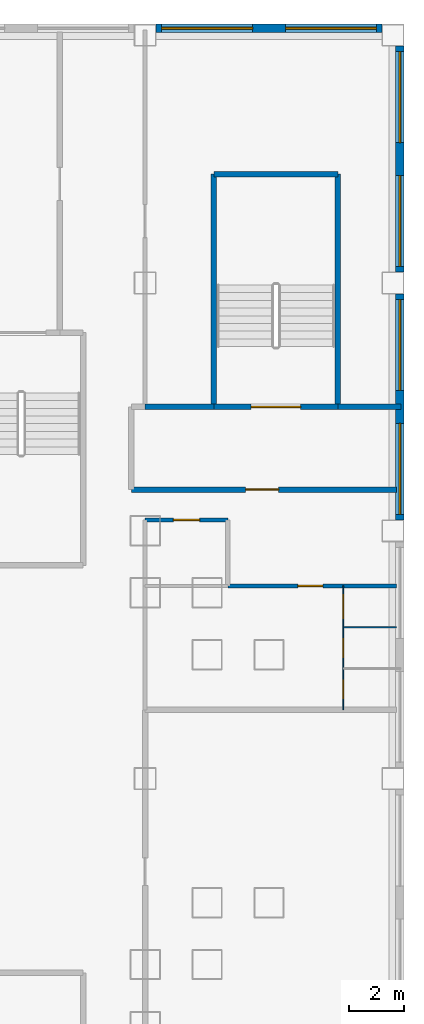
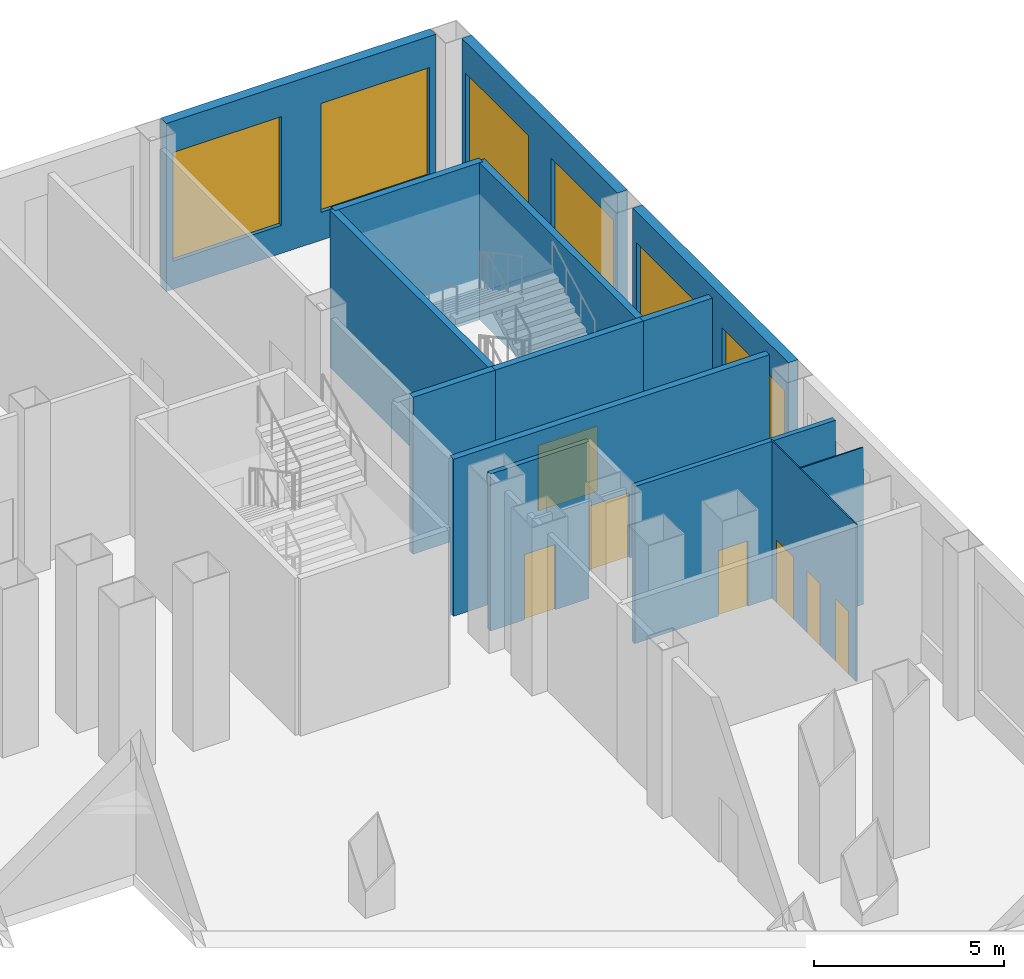
# One storey, part 8 of 26: 14 walls, 7 doors, 6 windows, 13 openings.
"""IFC4 building model written with IfcOpenShell, lengths in metres."""

from ifc_helpers import new_model, si_unit, direction, frame, frame_2d, origin, place, context, subcontext, project, spatial, rectangle, extrude, material, layer, layer_set, type_object, element, fill, save


model = new_model("IFC4")

# Units and contexts
model_context = context("Model", 3, precision=1e-05, world=origin(), true_north=direction((0.0, 1.0)))
body_context = subcontext(model_context, "Body", "Model", "MODEL_VIEW")
ifc_project = project(units=[si_unit("LENGTHUNIT", "METRE"), si_unit("AREAUNIT", "SQUARE_METRE"), si_unit("VOLUMEUNIT", "CUBIC_METRE"), si_unit("PLANEANGLEUNIT", "RADIAN"), si_unit("MASSUNIT", "GRAM", prefix="KILO")], contexts=[model_context])

# Site, building, storey
site_placement = place(None, origin())
site = spatial("IfcSite", under=ifc_project, at=site_placement, CompositionType="ELEMENT")
building_placement = place(site_placement, origin())
building = spatial("IfcBuilding", under=site, at=building_placement, Name="Caravel Reach Hotel and Residences", CompositionType="ELEMENT")
storey_placement = place(building_placement, frame((0.0, 0.0, 12.0)))
storey = spatial("IfcBuildingStorey", under=building, at=storey_placement, Name="L02", CompositionType="ELEMENT", Elevation=12.0)

# Wall, opening, door
ifc_material_1 = material(Name="Autoclaved aerated block wall")
ifc_layer_1 = layer(ifc_material_1, 0.199951171875)
ifc_layer_set_1 = layer_set([ifc_layer_1], Name="Compartment wall 200 mm EI 120")
wall_type_1 = type_object("IfcWallType", Name="Compartment wall 200 mm EI 120", PredefinedType="PARTITIONING", material=ifc_layer_set_1)
wall_1_placement = place(storey_placement, frame((58.0, 37.5, 0.0), z_axis=(0.0, 0.0, 1.0), x_axis=(1.0, 0.0, 0.0)))
wall_1 = element("IfcWall", 1, at=wall_1_placement, inside=storey, type_object=wall_type_1, Name="L02 wall w046", PredefinedType="PARTITIONING", context=body_context, shape_type="SweptSolid", body=[
    extrude(rectangle(XDim=9.6201171875, YDim=0.199951171875, at=frame_2d((4.81005859375, 0.0))), origin(), (0.0, 0.0, 1.0), 5.050048828125),
])
opening_1_placement = place(wall_1_placement, frame((4.14990234375, 0.0, 0.0)))
opening_1 = element("IfcOpeningElement", 2, at=opening_1_placement, cuts=wall_1, Name="Opening D02-024", PredefinedType="OPENING", context=body_context, shape_type="SweptSolid", body=[
    extrude(rectangle(XDim=1.199951171875, YDim=2.10009765625, at=frame_2d((0.60009765625, 1.050048828125))), frame((0.0, 0.10986328125, 0.0), z_axis=(0.0, -1.0, 0.0), x_axis=(1.0, 0.0, 0.0)), (0.0, 0.0, 1.0), 0.219970703125),
])
ifc_material_2 = material(Name="Steel fire door leaf", Category="steel")
door_type_1 = type_object("IfcDoorType", Name="Fire lobby door 1200 x 2100 EI 90", OperationType="SINGLE_SWING_LEFT", PredefinedType="DOOR", material=ifc_material_2)
door_1_placement = place(opening_1_placement, origin())
door_1 = element("IfcDoor", 3, at=door_1_placement, inside=storey, type_object=door_type_1, Name="door D02-024", OperationType="SINGLE_SWING_LEFT", OverallHeight=2.10009765625, OverallWidth=1.199951171875, PredefinedType="DOOR", context=body_context, shape_type="SweptSolid", body=[
    extrude(rectangle(XDim=1.199951171875, YDim=2.10009765625, at=frame_2d((0.60009765625, 1.050048828125))), frame((0.0, 0.02490234375, 0.0), z_axis=(0.0, -1.0, 0.0), x_axis=(1.0, 0.0, 0.0)), (0.0, 0.0, 1.0), 0.050048828125),
])
fill(opening_1, door_1)

# Walls
wall_2_placement = place(storey_placement, frame((58.5, 40.5, 0.0), z_axis=(0.0, 0.0, 1.0), x_axis=(1.0, 0.0, 0.0)))
element("IfcWall", 4, at=wall_2_placement, inside=storey, type_object=wall_type_1, Name="L02 wall w053", PredefinedType="PARTITIONING", context=body_context, shape_type="SweptSolid", body=[
    extrude(rectangle(XDim=2.5, YDim=0.199951171875, at=frame_2d((1.25, 0.0))), origin(), (0.0, 0.0, 1.0), 5.050048828125),
])
wall_3_placement = place(storey_placement, frame((65.5, 40.5, 0.0), z_axis=(0.0, 0.0, 1.0), x_axis=(1.0, 0.0, 0.0)))
element("IfcWall", 5, at=wall_3_placement, inside=storey, type_object=wall_type_1, Name="L02 wall w054", PredefinedType="PARTITIONING", context=body_context, shape_type="SweptSolid", body=[
    extrude(rectangle(XDim=2.2900390625, YDim=0.199951171875, at=frame_2d((1.14501953125, 0.0))), origin(), (0.0, 0.0, 1.0), 5.050048828125),
])

# Wall, opening, door
ifc_material_3 = material(Name="Gypsum board on steel stud, fire-rated", Category="steel")
ifc_layer_2 = layer(ifc_material_3, 0.14990234375)
ifc_layer_set_2 = layer_set([ifc_layer_2], Name="Corridor wall 150 mm EI 60")
wall_type_2 = type_object("IfcWallType", Name="Corridor wall 150 mm EI 60", PredefinedType="PARTITIONING", material=ifc_layer_set_2)
wall_4_placement = place(storey_placement, frame((61.5, 34.0, 0.0), z_axis=(0.0, 0.0, 1.0), x_axis=(1.0, 0.0, 0.0)))
wall_4 = element("IfcWall", 6, at=wall_4_placement, inside=storey, type_object=wall_type_2, Name="L02 wall w002", PredefinedType="PARTITIONING", context=body_context, shape_type="SweptSolid", body=[
    extrude(rectangle(XDim=6.1201171875, YDim=0.14990234375, at=frame_2d((3.06005859375, 0.0))), origin(), (0.0, 0.0, 1.0), 5.050048828125),
])
opening_2_placement = place(wall_4_placement, frame((2.550048828125, 0.0, 0.0)))
opening_2 = element("IfcOpeningElement", 7, at=opening_2_placement, cuts=wall_4, Name="Opening D02-035", PredefinedType="OPENING", context=body_context, shape_type="SweptSolid", body=[
    extrude(rectangle(XDim=0.89990234375, YDim=2.10009765625, at=frame_2d((0.449951171875, 1.050048828125))), frame((0.0, 0.0849609375, 0.0), z_axis=(0.0, -1.0, 0.0), x_axis=(1.0, 0.0, 0.0)), (0.0, 0.0, 1.0), 0.169921875),
])
ifc_material_4 = material(Name="Timber and steel door leaf", Category="steel")
door_type_2 = type_object("IfcDoorType", Name="Door 900 x 2100 timber", OperationType="SINGLE_SWING_LEFT", PredefinedType="DOOR", material=ifc_material_4)
door_2_placement = place(opening_2_placement, origin())
door_2 = element("IfcDoor", 8, at=door_2_placement, inside=storey, type_object=door_type_2, Name="door D02-035", OperationType="SINGLE_SWING_RIGHT", OverallHeight=2.10009765625, OverallWidth=0.89990234375, PredefinedType="DOOR", context=body_context, shape_type="SweptSolid", body=[
    extrude(rectangle(XDim=0.89990234375, YDim=2.10009765625, at=frame_2d((0.449951171875, 1.050048828125))), frame((0.0, 0.02490234375, 0.0), z_axis=(0.0, -1.0, 0.0), x_axis=(1.0, 0.0, 0.0)), (0.0, 0.0, 1.0), 0.050048828125),
])
fill(opening_2, door_2)

wall_5_placement = place(storey_placement, frame((58.5, 36.39990234375, 0.0), z_axis=(0.0, 0.0, 1.0), x_axis=(1.0, 0.0, 0.0)))
wall_5 = element("IfcWall", 9, at=wall_5_placement, inside=storey, type_object=wall_type_2, Name="L02 wall w005", PredefinedType="PARTITIONING", context=body_context, shape_type="SweptSolid", body=[
    extrude(rectangle(XDim=3.0, YDim=0.14990234375, at=frame_2d((1.5, 0.0))), origin(), (0.0, 0.0, 1.0), 5.050048828125),
])
opening_3_placement = place(wall_5_placement, frame((1.02490234375, 0.0, 0.0)))
opening_3 = element("IfcOpeningElement", 10, at=opening_3_placement, cuts=wall_5, Name="Opening D02-036", PredefinedType="OPENING", context=body_context, shape_type="SweptSolid", body=[
    extrude(rectangle(XDim=0.949951171875, YDim=2.10009765625, at=frame_2d((0.47509765625, 1.050048828125))), frame((0.0, 0.0849609375, 0.0), z_axis=(0.0, -1.0, 0.0), x_axis=(1.0, 0.0, 0.0)), (0.0, 0.0, 1.0), 0.169921875),
])
ifc_material_5 = material(Name="Timber and steel door leaf", Category="steel")
door_type_3 = type_object("IfcDoorType", Name="Accessible WC door 950 x 2100", OperationType="SINGLE_SWING_LEFT", PredefinedType="DOOR", material=ifc_material_5)
door_3_placement = place(opening_3_placement, origin())
door_3 = element("IfcDoor", 11, at=door_3_placement, inside=storey, type_object=door_type_3, Name="door D02-036", OperationType="SINGLE_SWING_LEFT", OverallHeight=2.10009765625, OverallWidth=0.949951171875, PredefinedType="DOOR", context=body_context, shape_type="SweptSolid", body=[
    extrude(rectangle(XDim=0.949951171875, YDim=2.10009765625, at=frame_2d((0.47509765625, 1.050048828125))), frame((0.0, 0.02490234375, 0.0), z_axis=(0.0, -1.0, 0.0), x_axis=(1.0, 0.0, 0.0)), (0.0, 0.0, 1.0), 0.050048828125),
])
fill(opening_3, door_3)

# Wall, openings, windows
ifc_material_6 = material(Name="Insulated wall, stone cladding", Category="masonry")
ifc_layer_3 = layer(ifc_material_6, 0.300048828125)
ifc_layer_set_3 = layer_set([ifc_layer_3], Name="EW2 Podium stone-clad wall")
wall_type_3 = type_object("IfcWallType", Name="EW2 Podium stone-clad wall", PredefinedType="SOLIDWALL", material=ifc_layer_set_3)
wall_6_placement = place(storey_placement, frame((67.75, 36.39990234375, 0.0), z_axis=(0.0, 0.0, 1.0), x_axis=(0.0, 1.0, 0.0)))
wall_6 = element("IfcWall", 12, at=wall_6_placement, inside=storey, type_object=wall_type_3, Name="External wall L02 E1.5", PredefinedType="SOLIDWALL", context=body_context, shape_type="SweptSolid", body=[
    extrude(rectangle(XDim=8.2001953125, YDim=0.300048828125, at=frame_2d((4.10009765625, 0.0))), origin(), (0.0, 0.0, 1.0), 5.39990234375),
])
opening_4_placement = place(wall_6_placement, frame((0.199951171875, 0.0, 0.89990234375)))
opening_4 = element("IfcOpeningElement", 13, at=opening_4_placement, cuts=wall_6, Name="Opening WN30", PredefinedType="OPENING", context=body_context, shape_type="SweptSolid", body=[
    extrude(rectangle(XDim=3.300048828125, YDim=3.5, at=frame_2d((1.64990234375, 1.75))), frame((0.0, 0.159912109375, 0.0), z_axis=(0.0, -1.0, 0.0), x_axis=(1.0, 0.0, 0.0)), (0.0, 0.0, 1.0), 0.320068359375),
])
opening_5_placement = place(wall_6_placement, frame((4.699951171875, 0.0, 0.89990234375)))
opening_5 = element("IfcOpeningElement", 14, at=opening_5_placement, cuts=wall_6, Name="Opening WN30", PredefinedType="OPENING", context=body_context, shape_type="SweptSolid", body=[
    extrude(rectangle(XDim=3.300048828125, YDim=3.5, at=frame_2d((1.64990234375, 1.75))), frame((0.0, 0.159912109375, 0.0), z_axis=(0.0, -1.0, 0.0), x_axis=(1.0, 0.0, 0.0)), (0.0, 0.0, 1.0), 0.320068359375),
])
ifc_material_7 = material(Name="Dark low-e glazing in black aluminium frame", Category="aluminium")
window_type = type_object("IfcWindowType", Name="Podium window 3300 x 3500", PartitioningType="SINGLE_PANEL", PredefinedType="WINDOW", material=ifc_material_7)
window_1_placement = place(opening_4_placement, origin())
window_1 = element("IfcWindow", 15, at=window_1_placement, inside=storey, type_object=window_type, Name="Window L02 E1.5.1", OverallHeight=3.5, OverallWidth=3.300048828125, PartitioningType="SINGLE_PANEL", PredefinedType="WINDOW", context=body_context, shape_type="SweptSolid", body=[
    extrude(rectangle(XDim=3.300048828125, YDim=3.5, at=frame_2d((1.64990234375, 1.75))), frame((0.0, 0.030029296875, 0.0), z_axis=(0.0, -1.0, 0.0), x_axis=(1.0, 0.0, 0.0)), (0.0, 0.0, 1.0), 0.06005859375),
])
fill(opening_4, window_1)
window_2_placement = place(opening_5_placement, origin())
window_2 = element("IfcWindow", 16, at=window_2_placement, inside=storey, type_object=window_type, Name="Window L02 E1.5.2", OverallHeight=3.5, OverallWidth=3.300048828125, PartitioningType="SINGLE_PANEL", PredefinedType="WINDOW", context=body_context, shape_type="SweptSolid", body=[
    extrude(rectangle(XDim=3.300048828125, YDim=3.5, at=frame_2d((1.64990234375, 1.75))), frame((0.0, 0.030029296875, 0.0), z_axis=(0.0, -1.0, 0.0), x_axis=(1.0, 0.0, 0.0)), (0.0, 0.0, 1.0), 0.06005859375),
])
fill(opening_5, window_2)

wall_7_placement = place(storey_placement, frame((67.75, 45.39990234375, 0.0), z_axis=(0.0, 0.0, 1.0), x_axis=(0.0, 1.0, 0.0)))
wall_7 = element("IfcWall", 17, at=wall_7_placement, inside=storey, type_object=wall_type_3, Name="External wall L02 E1.6", PredefinedType="SOLIDWALL", context=body_context, shape_type="SweptSolid", body=[
    extrude(rectangle(XDim=8.2001953125, YDim=0.300048828125, at=frame_2d((4.10009765625, 0.0))), origin(), (0.0, 0.0, 1.0), 5.39990234375),
])
opening_6_placement = place(wall_7_placement, frame((0.199951171875, 0.0, 0.89990234375)))
opening_6 = element("IfcOpeningElement", 18, at=opening_6_placement, cuts=wall_7, Name="Opening WN30", PredefinedType="OPENING", context=body_context, shape_type="SweptSolid", body=[
    extrude(rectangle(XDim=3.300048828125, YDim=3.5, at=frame_2d((1.64990234375, 1.75))), frame((0.0, 0.159912109375, 0.0), z_axis=(0.0, -1.0, 0.0), x_axis=(1.0, 0.0, 0.0)), (0.0, 0.0, 1.0), 0.320068359375),
])
opening_7_placement = place(wall_7_placement, frame((4.699951171875, 0.0, 0.89990234375)))
opening_7 = element("IfcOpeningElement", 19, at=opening_7_placement, cuts=wall_7, Name="Opening WN30", PredefinedType="OPENING", context=body_context, shape_type="SweptSolid", body=[
    extrude(rectangle(XDim=3.300048828125, YDim=3.5, at=frame_2d((1.64990234375, 1.75))), frame((0.0, 0.159912109375, 0.0), z_axis=(0.0, -1.0, 0.0), x_axis=(1.0, 0.0, 0.0)), (0.0, 0.0, 1.0), 0.320068359375),
])
window_3_placement = place(opening_6_placement, origin())
window_3 = element("IfcWindow", 20, at=window_3_placement, inside=storey, type_object=window_type, Name="Window L02 E1.6.1", OverallHeight=3.5, OverallWidth=3.300048828125, PartitioningType="SINGLE_PANEL", PredefinedType="WINDOW", context=body_context, shape_type="SweptSolid", body=[
    extrude(rectangle(XDim=3.300048828125, YDim=3.5, at=frame_2d((1.64990234375, 1.75))), frame((0.0, 0.030029296875, 0.0), z_axis=(0.0, -1.0, 0.0), x_axis=(1.0, 0.0, 0.0)), (0.0, 0.0, 1.0), 0.06005859375),
])
fill(opening_6, window_3)
window_4_placement = place(opening_7_placement, origin())
window_4 = element("IfcWindow", 21, at=window_4_placement, inside=storey, type_object=window_type, Name="Window L02 E1.6.2", OverallHeight=3.5, OverallWidth=3.300048828125, PartitioningType="SINGLE_PANEL", PredefinedType="WINDOW", context=body_context, shape_type="SweptSolid", body=[
    extrude(rectangle(XDim=3.300048828125, YDim=3.5, at=frame_2d((1.64990234375, 1.75))), frame((0.0, 0.030029296875, 0.0), z_axis=(0.0, -1.0, 0.0), x_axis=(1.0, 0.0, 0.0)), (0.0, 0.0, 1.0), 0.06005859375),
])
fill(opening_7, window_4)

wall_8_placement = place(storey_placement, frame((67.10009765625, 54.25, 0.0), z_axis=(0.0, 0.0, 1.0), x_axis=(-1.0, 0.0, 0.0)))
wall_8 = element("IfcWall", 22, at=wall_8_placement, inside=storey, type_object=wall_type_3, Name="External wall L02 N2.1", PredefinedType="SOLIDWALL", context=body_context, shape_type="SweptSolid", body=[
    extrude(rectangle(XDim=8.2001953125, YDim=0.300048828125, at=frame_2d((4.10009765625, 0.0))), origin(), (0.0, 0.0, 1.0), 5.39990234375),
])
opening_8_placement = place(wall_8_placement, frame((0.199951171875, 0.0, 0.89990234375)))
opening_8 = element("IfcOpeningElement", 23, at=opening_8_placement, cuts=wall_8, Name="Opening WN30", PredefinedType="OPENING", context=body_context, shape_type="SweptSolid", body=[
    extrude(rectangle(XDim=3.300048828125, YDim=3.5, at=frame_2d((1.64990234375, 1.75))), frame((0.0, 0.159912109375, 0.0), z_axis=(0.0, -1.0, 0.0), x_axis=(1.0, 0.0, 0.0)), (0.0, 0.0, 1.0), 0.320068359375),
])
opening_9_placement = place(wall_8_placement, frame((4.699951171875, 0.0, 0.89990234375)))
opening_9 = element("IfcOpeningElement", 24, at=opening_9_placement, cuts=wall_8, Name="Opening WN30", PredefinedType="OPENING", context=body_context, shape_type="SweptSolid", body=[
    extrude(rectangle(XDim=3.300048828125, YDim=3.5, at=frame_2d((1.64990234375, 1.75))), frame((0.0, 0.159912109375, 0.0), z_axis=(0.0, -1.0, 0.0), x_axis=(1.0, 0.0, 0.0)), (0.0, 0.0, 1.0), 0.320068359375),
])
window_5_placement = place(opening_8_placement, origin())
window_5 = element("IfcWindow", 25, at=window_5_placement, inside=storey, type_object=window_type, Name="Window L02 N2.1.1", OverallHeight=3.5, OverallWidth=3.300048828125, PartitioningType="SINGLE_PANEL", PredefinedType="WINDOW", context=body_context, shape_type="SweptSolid", body=[
    extrude(rectangle(XDim=3.300048828125, YDim=3.5, at=frame_2d((1.64990234375, 1.75))), frame((0.0, 0.030029296875, 0.0), z_axis=(0.0, -1.0, 0.0), x_axis=(1.0, 0.0, 0.0)), (0.0, 0.0, 1.0), 0.06005859375),
])
fill(opening_8, window_5)
window_6_placement = place(opening_9_placement, origin())
window_6 = element("IfcWindow", 26, at=window_6_placement, inside=storey, type_object=window_type, Name="Window L02 N2.1.2", OverallHeight=3.5, OverallWidth=3.300048828125, PartitioningType="SINGLE_PANEL", PredefinedType="WINDOW", context=body_context, shape_type="SweptSolid", body=[
    extrude(rectangle(XDim=3.300048828125, YDim=3.5, at=frame_2d((1.64990234375, 1.75))), frame((0.0, 0.030029296875, 0.0), z_axis=(0.0, -1.0, 0.0), x_axis=(1.0, 0.0, 0.0)), (0.0, 0.0, 1.0), 0.06005859375),
])
fill(opening_9, window_6)

# Wall, opening, door
ifc_material_8 = material(Name="Concrete C60", Category="concrete")
ifc_layer_4 = layer(ifc_material_8, 0.199951171875)
ifc_layer_set_4 = layer_set([ifc_layer_4], Name="Stair enclosure wall 200 mm EI 120")
wall_type_4 = type_object("IfcWallType", Name="Stair enclosure wall 200 mm EI 120", PredefinedType="SHEAR", material=ifc_layer_set_4)
wall_9_placement = place(storey_placement, frame((61.0, 40.5, 0.0), z_axis=(0.0, 0.0, 1.0), x_axis=(1.0, 0.0, 0.0)))
wall_9 = element("IfcWall", 27, at=wall_9_placement, inside=storey, type_object=wall_type_4, Name="L02 wall w094", PredefinedType="SHEAR", context=body_context, shape_type="SweptSolid", body=[
    extrude(rectangle(XDim=4.5, YDim=0.199951171875, at=frame_2d((2.25, 0.0))), origin(), (0.0, 0.0, 1.0), 5.050048828125),
])
opening_10_placement = place(wall_9_placement, frame((1.35009765625, 0.0, 0.0)))
opening_10 = element("IfcOpeningElement", 28, at=opening_10_placement, cuts=wall_9, Name="Opening D02-025", PredefinedType="OPENING", context=body_context, shape_type="SweptSolid", body=[
    extrude(rectangle(XDim=1.800048828125, YDim=2.10009765625, at=frame_2d((0.89990234375, 1.050048828125))), frame((0.0, 0.10986328125, 0.0), z_axis=(0.0, -1.0, 0.0), x_axis=(1.0, 0.0, 0.0)), (0.0, 0.0, 1.0), 0.219970703125),
])
ifc_material_9 = material(Name="Steel fire door leaf", Category="steel")
door_type_4 = type_object("IfcDoorType", Name="Stair door pair 1800 x 2100 EI 90", OperationType="DOUBLE_DOOR_SINGLE_SWING", PredefinedType="DOOR", material=ifc_material_9)
door_4_placement = place(opening_10_placement, origin())
door_4 = element("IfcDoor", 29, at=door_4_placement, inside=storey, type_object=door_type_4, Name="door D02-025", OperationType="DOUBLE_DOOR_SINGLE_SWING", OverallHeight=2.10009765625, OverallWidth=1.800048828125, PredefinedType="DOOR", context=body_context, shape_type="SweptSolid", body=[
    extrude(rectangle(XDim=1.800048828125, YDim=2.10009765625, at=frame_2d((0.89990234375, 1.050048828125))), frame((0.0, 0.02490234375, 0.0), z_axis=(0.0, -1.0, 0.0), x_axis=(1.0, 0.0, 0.0)), (0.0, 0.0, 1.0), 0.050048828125),
])
fill(opening_10, door_4)

# Walls
wall_10_placement = place(storey_placement, frame((61.0, 48.949951171875, 0.0), z_axis=(0.0, 0.0, 1.0), x_axis=(1.0, 0.0, 0.0)))
element("IfcWall", 30, at=wall_10_placement, inside=storey, type_object=wall_type_4, Name="L02 wall w102", PredefinedType="SHEAR", context=body_context, shape_type="SweptSolid", body=[
    extrude(rectangle(XDim=4.5, YDim=0.199951171875, at=frame_2d((2.25, 0.0))), origin(), (0.0, 0.0, 1.0), 5.050048828125),
])
for number, where, z_axis, x_axis, name in (
    (31, (61.0, 40.5, 0.0), (0.0, 0.0, 1.0), (0.0, 1.0, 0.0), "L02 wall w115"),
    (32, (65.5, 40.5, 0.0), (0.0, 0.0, 1.0), (0.0, 1.0, 0.0), "L02 wall w117"),
):
    element("IfcWall", number, at=place(storey_placement, frame(where, z_axis=z_axis, x_axis=x_axis)), inside=storey, type_object=wall_type_4, Name=name, PredefinedType="SHEAR", context=body_context, shape_type="SweptSolid", body=[
        extrude(rectangle(XDim=8.449951171875, YDim=0.199951171875, at=frame_2d((4.22509765625, 0.0))), origin(), (0.0, 0.0, 1.0), 5.050048828125),
    ])
ifc_material_10 = material(Name="Laminate cubicle panel")
ifc_layer_5 = layer(ifc_material_10, 0.0400390625)
ifc_layer_set_5 = layer_set([ifc_layer_5], Name="WC cubicle partition 40 mm")
wall_type_5 = type_object("IfcWallType", Name="WC cubicle partition 40 mm", PredefinedType="PARTITIONING", material=ifc_layer_set_5)
wall_11_placement = place(storey_placement, frame((67.6201171875, 32.5, 0.0), z_axis=(0.0, 0.0, 1.0), x_axis=(-1.0, 0.0, 0.0)))
element("IfcWall", 33, at=wall_11_placement, inside=storey, type_object=wall_type_5, Name="L02 wall cbr08.d2", PredefinedType="PARTITIONING", context=body_context, shape_type="SweptSolid", body=[
    extrude(rectangle(XDim=1.920166015625, YDim=0.0400390625, at=frame_2d((0.9599609375, 0.0))), origin(), (0.0, 0.0, 1.0), 5.050048828125),
])

# Wall, openings, doors
wall_12_placement = place(storey_placement, frame((65.699951171875, 29.5, 0.0), z_axis=(0.0, 0.0, 1.0), x_axis=(0.0, 1.0, 0.0)))
wall_12 = element("IfcWall", 34, at=wall_12_placement, inside=storey, type_object=wall_type_5, Name="L02 wall cbr08.f", PredefinedType="PARTITIONING", context=body_context, shape_type="SweptSolid", body=[
    extrude(rectangle(XDim=4.5, YDim=0.0400390625, at=frame_2d((2.25, 0.0))), origin(), (0.0, 0.0, 1.0), 5.050048828125),
])
opening_11_placement = place(wall_12_placement, frame((0.39990234375, 0.0, 0.0)))
opening_11 = element("IfcOpeningElement", 35, at=opening_11_placement, cuts=wall_12, Name="Opening D02-053", PredefinedType="OPENING", context=body_context, shape_type="SweptSolid", body=[
    extrude(rectangle(XDim=0.699951171875, YDim=2.0, at=frame_2d((0.35009765625, 1.0))), frame((0.0, 0.030029296875, 0.0), z_axis=(0.0, -1.0, 0.0), x_axis=(1.0, 0.0, 0.0)), (0.0, 0.0, 1.0), 0.06005859375),
])
opening_12_placement = place(wall_12_placement, frame((1.89990234375, 0.0, 0.0)))
opening_12 = element("IfcOpeningElement", 36, at=opening_12_placement, cuts=wall_12, Name="Opening D02-054", PredefinedType="OPENING", context=body_context, shape_type="SweptSolid", body=[
    extrude(rectangle(XDim=0.699951171875, YDim=2.0, at=frame_2d((0.35009765625, 1.0))), frame((0.0, 0.030029296875, 0.0), z_axis=(0.0, -1.0, 0.0), x_axis=(1.0, 0.0, 0.0)), (0.0, 0.0, 1.0), 0.06005859375),
])
opening_13_placement = place(wall_12_placement, frame((3.300048828125, 0.0, 0.0)))
opening_13 = element("IfcOpeningElement", 37, at=opening_13_placement, cuts=wall_12, Name="Opening D02-055", PredefinedType="OPENING", context=body_context, shape_type="SweptSolid", body=[
    extrude(rectangle(XDim=0.89990234375, YDim=2.0, at=frame_2d((0.449951171875, 1.0))), frame((0.0, 0.030029296875, 0.0), z_axis=(0.0, -1.0, 0.0), x_axis=(1.0, 0.0, 0.0)), (0.0, 0.0, 1.0), 0.06005859375),
])
ifc_material_11 = material(Name="Timber and steel door leaf", Category="steel")
door_type_5 = type_object("IfcDoorType", Name="Accessible cubicle door 900 x 2000", OperationType="SINGLE_SWING_LEFT", PredefinedType="DOOR", material=ifc_material_11)
door_5_placement = place(opening_13_placement, origin())
door_5 = element("IfcDoor", 38, at=door_5_placement, inside=storey, type_object=door_type_5, Name="door D02-055", OperationType="SINGLE_SWING_RIGHT", OverallHeight=2.0, OverallWidth=0.89990234375, PredefinedType="DOOR", context=body_context, shape_type="SweptSolid", body=[
    extrude(rectangle(XDim=0.89990234375, YDim=2.0, at=frame_2d((0.449951171875, 1.0))), frame((0.0, 0.019775390625, 0.0), z_axis=(0.0, -1.0, 0.0), x_axis=(1.0, 0.0, 0.0)), (0.0, 0.0, 1.0), 0.03955078125),
])
fill(opening_13, door_5)
ifc_material_12 = material(Name="Timber and steel door leaf", Category="steel")
door_type_6 = type_object("IfcDoorType", Name="WC cubicle door 700 x 2000", OperationType="SINGLE_SWING_LEFT", PredefinedType="DOOR", material=ifc_material_12)
door_6_placement = place(opening_11_placement, origin())
door_6 = element("IfcDoor", 39, at=door_6_placement, inside=storey, type_object=door_type_6, Name="door D02-053", OperationType="SINGLE_SWING_LEFT", OverallHeight=2.0, OverallWidth=0.699951171875, PredefinedType="DOOR", context=body_context, shape_type="SweptSolid", body=[
    extrude(rectangle(XDim=0.699951171875, YDim=2.0, at=frame_2d((0.35009765625, 1.0))), frame((0.0, 0.019775390625, 0.0), z_axis=(0.0, -1.0, 0.0), x_axis=(1.0, 0.0, 0.0)), (0.0, 0.0, 1.0), 0.03955078125),
])
fill(opening_11, door_6)
door_7_placement = place(opening_12_placement, origin())
door_7 = element("IfcDoor", 40, at=door_7_placement, inside=storey, type_object=door_type_6, Name="door D02-054", OperationType="SINGLE_SWING_RIGHT", OverallHeight=2.0, OverallWidth=0.699951171875, PredefinedType="DOOR", context=body_context, shape_type="SweptSolid", body=[
    extrude(rectangle(XDim=0.699951171875, YDim=2.0, at=frame_2d((0.35009765625, 1.0))), frame((0.0, 0.019775390625, 0.0), z_axis=(0.0, -1.0, 0.0), x_axis=(1.0, 0.0, 0.0)), (0.0, 0.0, 1.0), 0.03955078125),
])
fill(opening_12, door_7)

save(model, "model.ifc")
